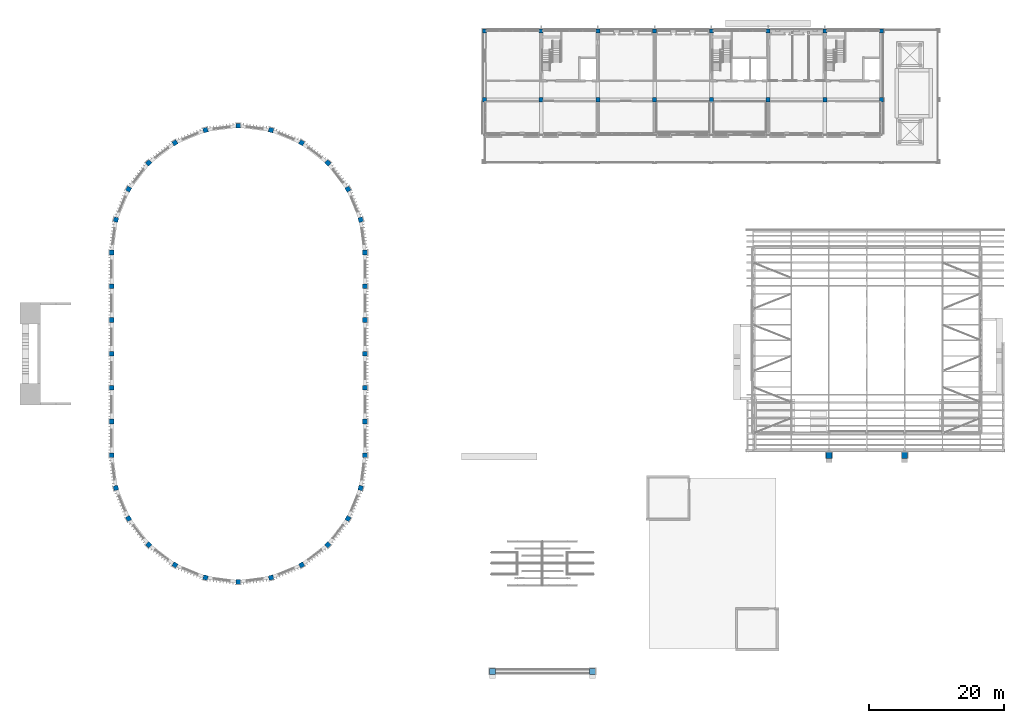
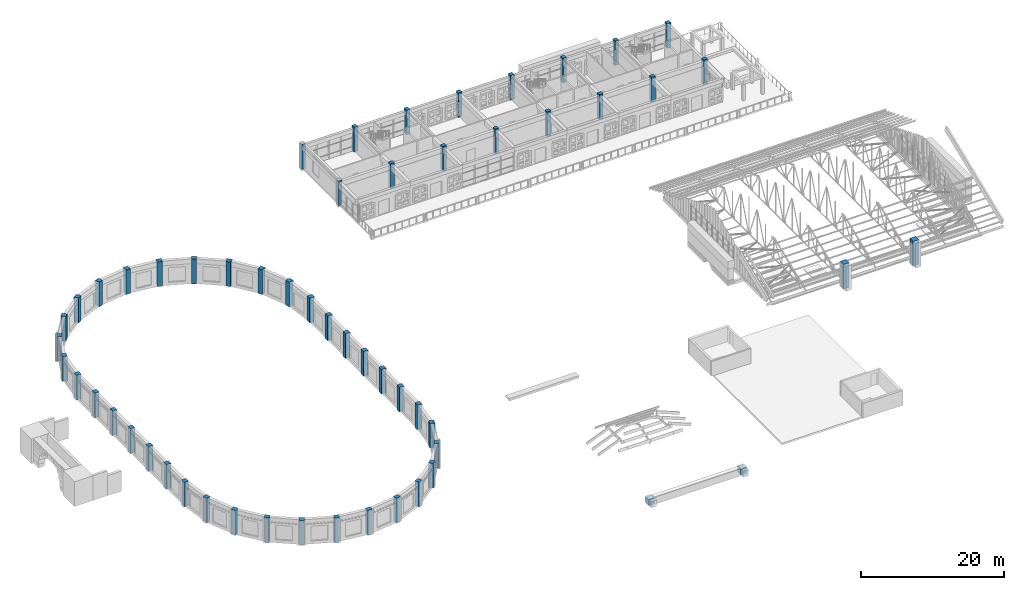
# One storey, part 1 of 71: 56 columns.
"""IFC4 building model written with IfcOpenShell, lengths in metres."""

from ifc_helpers import new_model, si_unit, direction, frame, origin, origin_2d, place, context, subcontext, project, spatial, rectangle, extrude, material, material_profile, profile_set, type_object, element, save


model = new_model("IFC4")

# Units and contexts
model_context = context("Model", 3, precision=1e-05, world=origin(), true_north=direction((0.0, 1.0)))
body_context = subcontext(model_context, "Body", "Model", "MODEL_VIEW")
ifc_project = project(units=[si_unit("LENGTHUNIT", "METRE"), si_unit("AREAUNIT", "SQUARE_METRE"), si_unit("VOLUMEUNIT", "CUBIC_METRE"), si_unit("PLANEANGLEUNIT", "RADIAN"), si_unit("MASSUNIT", "GRAM", prefix="KILO")], contexts=[model_context])

# Site, building, storey
site_placement = place(None, origin())
site = spatial("IfcSite", under=ifc_project, at=site_placement, CompositionType="ELEMENT")
building_placement = place(site_placement, origin())
building = spatial("IfcBuilding", under=site, at=building_placement, Name="Wasatch Bagh Community Centre", CompositionType="ELEMENT")
storey_placement = place(building_placement, frame((0.0, 0.0, 12.60009765625)))
storey = spatial("IfcBuildingStorey", under=building, at=storey_placement, Name="L03", CompositionType="ELEMENT", Elevation=12.60009765625)

# Columns
ifc_material = material(Name="Concrete C40", Category="concrete")
ifc_material_profile_1 = material_profile(ifc_material, rectangle(XDim=0.89990234375, YDim=0.89990234375, at=origin_2d()), Name="RC 900x900")
ifc_profile_set_1 = profile_set([ifc_material_profile_1], Name="Concrete C40")
column_type_1 = type_object("IfcColumnType", Name="CL-P1", PredefinedType="COLUMN", material=ifc_profile_set_1)
for number, where, z_axis, x_axis, name in (
    (1, (123.39990234375, 35.0, 0.0), (0.0, 0.0, 1.0), (1.0, 0.0, 0.0), "CL-P1 pier SHP1"),
    (2, (134.60009765625, 35.0, 0.0), (0.0, 0.0, 1.0), (1.0, 0.0, 0.0), "CL-P1 pier SHP2"),
):
    element("IfcColumn", number, at=place(storey_placement, frame(where, z_axis=z_axis, x_axis=x_axis)), inside=storey, type_object=column_type_1, Name=name, PredefinedType="COLUMN", context=body_context, shape_type="SweptSolid", body=[
        extrude(rectangle(XDim=0.89990234375, YDim=0.89990234375, at=origin_2d()), origin(), (0.0, 0.0, 1.0), 4.199951171875),
    ])
for number, where, z_axis, x_axis, name in (
    (3, (73.60009765625, 3.0, 0.0), (0.0, 0.0, 1.0), (1.0, 0.0, 0.0), "CL-P1 pier DHP2"),
    (4, (88.39990234375, 3.0, 0.0), (0.0, 0.0, 1.0), (1.0, 0.0, 0.0), "CL-P1 pier DHP3"),
):
    element("IfcColumn", number, at=place(storey_placement, frame(where, z_axis=z_axis, x_axis=x_axis)), inside=storey, type_object=column_type_1, Name=name, PredefinedType="COLUMN", context=body_context, shape_type="SweptSolid", body=[
        extrude(rectangle(XDim=0.89990234375, YDim=0.89990234375, at=origin_2d()), origin(), (0.0, 0.0, 1.0), 1.0),
    ])
ifc_material_profile_2 = material_profile(ifc_material, rectangle(XDim=0.60009765625, YDim=0.60009765625, at=origin_2d()), Name="RC 600x600")
ifc_profile_set_2 = profile_set([ifc_material_profile_2], Name="Concrete C40")
column_type_2 = type_object("IfcColumnType", Name="LW RC 600x600", PredefinedType="COLUMN", material=ifc_profile_set_2)
for number, where, z_axis, x_axis, name in (
    (5, (72.39990234375, 87.60009765625, 0.0), (0.0, 0.0, 1.0), (1.0, 0.0, 0.0), "W2M"),
    (6, (80.800048828125, 87.60009765625, 0.0), (0.0, 0.0, 1.0), (1.0, 0.0, 0.0), "W3M"),
    (7, (89.199951171875, 87.60009765625, 0.0), (0.0, 0.0, 1.0), (1.0, 0.0, 0.0), "W4M"),
    (8, (97.60009765625, 87.60009765625, 0.0), (0.0, 0.0, 1.0), (1.0, 0.0, 0.0), "W5M"),
    (9, (106.0, 87.60009765625, 0.0), (0.0, 0.0, 1.0), (1.0, 0.0, 0.0), "W6M"),
    (10, (114.39990234375, 87.60009765625, 0.0), (0.0, 0.0, 1.0), (1.0, 0.0, 0.0), "W7M"),
    (11, (122.800048828125, 87.60009765625, 0.0), (0.0, 0.0, 1.0), (1.0, 0.0, 0.0), "W8M"),
    (12, (131.199951171875, 87.60009765625, 0.0), (0.0, 0.0, 1.0), (1.0, 0.0, 0.0), "W9M"),
    (13, (72.39990234375, 97.800048828125, 0.0), (0.0, 0.0, 1.0), (1.0, 0.0, 0.0), "W2N"),
    (14, (80.800048828125, 97.800048828125, 0.0), (0.0, 0.0, 1.0), (1.0, 0.0, 0.0), "W3N"),
    (15, (89.199951171875, 97.800048828125, 0.0), (0.0, 0.0, 1.0), (1.0, 0.0, 0.0), "W4N"),
    (16, (97.60009765625, 97.800048828125, 0.0), (0.0, 0.0, 1.0), (1.0, 0.0, 0.0), "W5N"),
    (17, (106.0, 97.800048828125, 0.0), (0.0, 0.0, 1.0), (1.0, 0.0, 0.0), "W6N"),
    (18, (114.39990234375, 97.800048828125, 0.0), (0.0, 0.0, 1.0), (1.0, 0.0, 0.0), "W7N"),
    (19, (122.800048828125, 97.800048828125, 0.0), (0.0, 0.0, 1.0), (1.0, 0.0, 0.0), "W8N"),
    (20, (131.199951171875, 97.800048828125, 0.0), (0.0, 0.0, 1.0), (1.0, 0.0, 0.0), "W9N"),
):
    element("IfcColumn", number, at=place(storey_placement, frame(where, z_axis=z_axis, x_axis=x_axis)), inside=storey, type_object=column_type_2, Name=name, PredefinedType="COLUMN", context=body_context, shape_type="SweptSolid", body=[
        extrude(rectangle(XDim=0.60009765625, YDim=0.60009765625, at=origin_2d()), origin(), (0.0, 0.0, 1.0), 4.199951171875),
    ])
ifc_material_profile_3 = material_profile(ifc_material, rectangle(XDim=0.699951171875, YDim=0.699951171875, at=origin_2d()), Name="RC 700x700")
ifc_profile_set_3 = profile_set([ifc_material_profile_3], Name="Concrete C40")
column_type_3 = type_object("IfcColumnType", Name="MH column RC 700x700", PredefinedType="COLUMN", material=ifc_profile_set_3)
for number, where, z_axis, x_axis, name in (
    (21, (17.25, 35.0, 0.0), (0.0, 0.0, 1.0), (1.0, 0.0, 0.0), "Column W1"),
    (22, (17.25, 40.0, 0.0), (0.0, 0.0, 1.0), (1.0, 0.0, 0.0), "Column W2"),
    (23, (17.25, 45.0, 0.0), (0.0, 0.0, 1.0), (1.0, 0.0, 0.0), "Column W3"),
    (24, (17.25, 50.0, 0.0), (0.0, 0.0, 1.0), (1.0, 0.0, 0.0), "Column W4"),
    (25, (17.25, 55.0, 0.0), (0.0, 0.0, 1.0), (1.0, 0.0, 0.0), "Column W5"),
    (26, (17.25, 60.0, 0.0), (0.0, 0.0, 1.0), (1.0, 0.0, 0.0), "Column W6"),
    (27, (17.25, 65.0, 0.0), (0.0, 0.0, 1.0), (1.0, 0.0, 0.0), "Column W7"),
    (28, (54.75, 35.0, 0.0), (0.0, 0.0, 1.0), (1.0, 0.0, 0.0), "Column E1"),
    (29, (54.75, 40.0, 0.0), (0.0, 0.0, 1.0), (1.0, 0.0, 0.0), "Column E2"),
    (30, (54.75, 45.0, 0.0), (0.0, 0.0, 1.0), (1.0, 0.0, 0.0), "Column E3"),
    (31, (54.75, 50.0, 0.0), (0.0, 0.0, 1.0), (1.0, 0.0, 0.0), "Column E4"),
    (32, (54.75, 55.0, 0.0), (0.0, 0.0, 1.0), (1.0, 0.0, 0.0), "Column E5"),
    (33, (54.75, 60.0, 0.0), (0.0, 0.0, 1.0), (1.0, 0.0, 0.0), "Column E6"),
    (34, (54.75, 65.0, 0.0), (0.0, 0.0, 1.0), (1.0, 0.0, 0.0), "Column E7"),
    (35, (17.888916015625, 30.147216796875, 0.0), (0.0, 0.0, 1.0), (0.965925826289, 0.258819045103, 0.0), "Column S1"),
    (36, (19.761962890625, 25.625, 0.0), (0.0, 0.0, 1.0), (0.866025403784, 0.5, 0.0), "Column S2"),
    (37, (22.74169921875, 21.74169921875, 0.0), (0.0, 0.0, 1.0), (0.707106781187, 0.707106781187, 0.0), "Column S3"),
    (38, (26.625, 18.761962890625, 0.0), (0.0, 0.0, 1.0), (0.5, 0.866025403784, 0.0), "Column S4"),
    (39, (31.147216796875, 16.888916015625, 0.0), (0.0, 0.0, 1.0), (0.258819045103, 0.965925826289, 0.0), "Column S5"),
    (40, (36.0, 16.25, 0.0), (0.0, 0.0, 1.0), (1.0, 0.0, 0.0), "Column S6"),
    (41, (40.852783203125, 16.888916015625, 0.0), (0.0, 0.0, 1.0), (0.965925826289, 0.258819045103, 0.0), "Column S7"),
    (42, (45.375, 18.761962890625, 0.0), (0.0, 0.0, 1.0), (0.866025403784, 0.5, 0.0), "Column S8"),
    (43, (49.25830078125, 21.74169921875, 0.0), (0.0, 0.0, 1.0), (0.707106781187, 0.707106781187, 0.0), "Column S9"),
    (44, (52.238037109375, 25.625, 0.0), (0.0, 0.0, 1.0), (0.5, 0.866025403784, 0.0), "Column S10"),
    (45, (54.111083984375, 30.147216796875, 0.0), (0.0, 0.0, 1.0), (0.258819045103, 0.965925826289, 0.0), "Column S11"),
    (46, (54.111083984375, 69.852783203125, 0.0), (0.0, 0.0, 1.0), (0.965925826289, 0.258819045103, 0.0), "Column N1"),
    (47, (52.238037109375, 74.375, 0.0), (0.0, 0.0, 1.0), (0.866025403784, 0.5, 0.0), "Column N2"),
    (48, (49.25830078125, 78.25830078125, 0.0), (0.0, 0.0, 1.0), (0.707106781187, 0.707106781187, 0.0), "Column N3"),
    (49, (45.375, 81.238037109375, 0.0), (0.0, 0.0, 1.0), (0.5, 0.866025403784, 0.0), "Column N4"),
    (50, (40.852783203125, 83.111083984375, 0.0), (0.0, 0.0, 1.0), (0.258819045103, 0.965925826289, 0.0), "Column N5"),
    (51, (36.0, 83.75, 0.0), (0.0, 0.0, 1.0), (1.0, 0.0, 0.0), "Column N6"),
    (52, (31.147216796875, 83.111083984375, 0.0), (0.0, 0.0, 1.0), (0.965925826289, 0.258819045103, 0.0), "Column N7"),
    (53, (26.625, 81.238037109375, 0.0), (0.0, 0.0, 1.0), (0.866025403784, 0.5, 0.0), "Column N8"),
    (54, (22.74169921875, 78.25830078125, 0.0), (0.0, 0.0, 1.0), (0.707106781187, 0.707106781187, 0.0), "Column N9"),
    (55, (19.761962890625, 74.375, 0.0), (0.0, 0.0, 1.0), (0.5, 0.866025403784, 0.0), "Column N10"),
    (56, (17.888916015625, 69.852783203125, 0.0), (0.0, 0.0, 1.0), (0.258819045103, 0.965925826289, 0.0), "Column N11"),
):
    element("IfcColumn", number, at=place(storey_placement, frame(where, z_axis=z_axis, x_axis=x_axis)), inside=storey, type_object=column_type_3, Name=name, PredefinedType="COLUMN", context=body_context, shape_type="SweptSolid", body=[
        extrude(rectangle(XDim=0.699951171875, YDim=0.699951171875, at=origin_2d()), origin(), (0.0, 0.0, 1.0), 4.199951171875),
    ])

save(model, "model.ifc")
